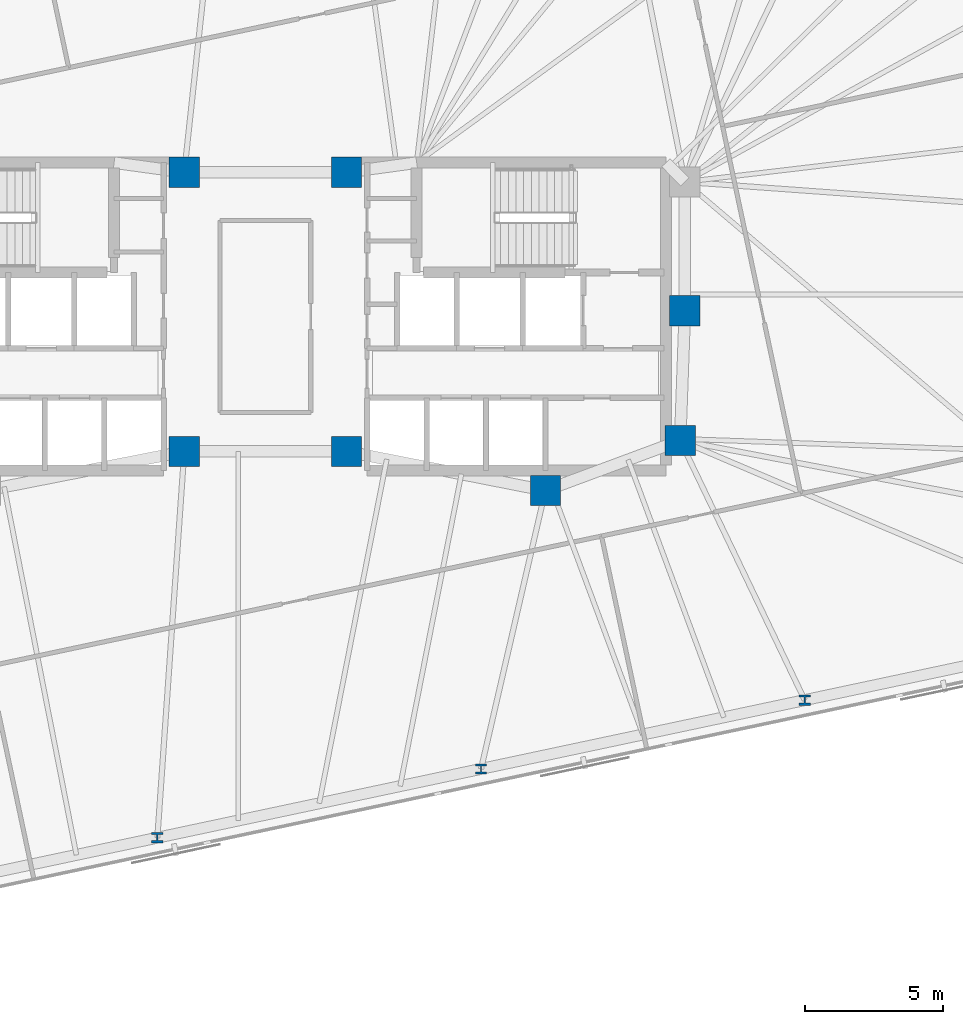
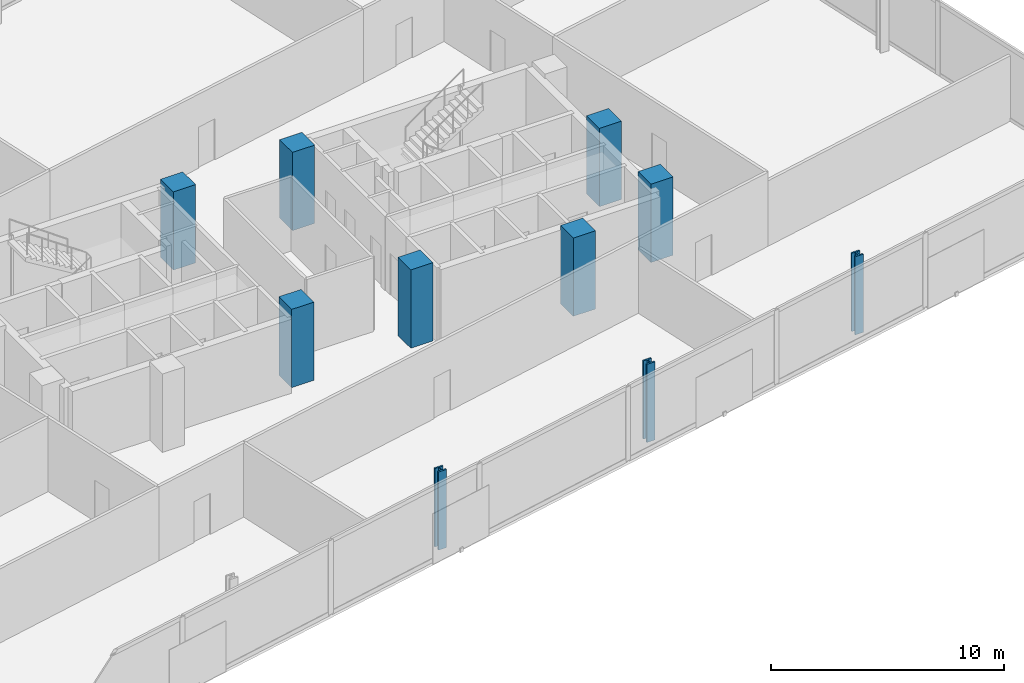
# One storey, part 3 of 15: 10 columns.
"""IFC4 building model written with IfcOpenShell, lengths in metres."""

from ifc_helpers import new_model, si_unit, direction, frame, origin, origin_2d, place, context, subcontext, project, spatial, rectangle, i_section, extrude, material, material_profile, profile_set, type_object, element, save


model = new_model("IFC4")

# Units and contexts
model_context = context("Model", 3, precision=1e-05, world=origin(), true_north=direction((0.0, 1.0)))
body_context = subcontext(model_context, "Body", "Model", "MODEL_VIEW")
ifc_project = project(units=[si_unit("LENGTHUNIT", "METRE"), si_unit("AREAUNIT", "SQUARE_METRE"), si_unit("VOLUMEUNIT", "CUBIC_METRE"), si_unit("PLANEANGLEUNIT", "RADIAN"), si_unit("MASSUNIT", "GRAM", prefix="KILO")], contexts=[model_context])

# Site, building, storey
site_placement = place(None, origin())
site = spatial("IfcSite", under=ifc_project, at=site_placement, CompositionType="ELEMENT")
building_placement = place(site_placement, origin())
building = spatial("IfcBuilding", under=site, at=building_placement, Name="Menara Jurai Vektor", CompositionType="ELEMENT")
storey_placement = place(building_placement, frame((0.0, 0.0, 147.300048828125)))
storey = spatial("IfcBuildingStorey", under=building, at=storey_placement, Name="L37", CompositionType="ELEMENT", Elevation=147.300048828125)

# Columns
ifc_material_1 = material(Name="Concrete C50/60", Category="concrete")
ifc_material_profile_1 = material_profile(ifc_material_1, rectangle(XDim=1.10009765625, YDim=1.10009765625, at=origin_2d()), Name="RC 1100x1100")
ifc_profile_set_1 = profile_set([ifc_material_profile_1], Name="Concrete C50/60")
column_type_1 = type_object("IfcColumnType", Name="STR-COL-RC1100", PredefinedType="COLUMN", material=ifc_profile_set_1)
for number, where, z_axis, x_axis, name in (
    (1, (-2.949951171875, -4.89990234375, 0.0), (0.0, 0.0, 1.0), (1.0, 0.0, 0.0), "Core Spine Column CW-SE L37"),
    (2, (-2.949951171875, 5.25, 0.0), (0.0, 0.0, 1.0), (1.0, 0.0, 0.0), "Core Spine Column CW-NE L37"),
    (3, (15.25, 0.219970703125, 0.0), (0.0, 0.0, 1.0), (1.0, 0.0, 0.0), "Core Spine Column CE-EM L37"),
    (4, (15.080078125, -4.5, 0.0), (0.0, 0.0, 1.0), (1.0, 0.0, 0.0), "Core Spine Column CE-SE L37"),
    (5, (10.179931640625, -6.320068359375, 0.0), (0.0, 0.0, 1.0), (1.0, 0.0, 0.0), "Core Spine Column CE-SM L37"),
    (6, (2.949951171875, -4.89990234375, 0.0), (0.0, 0.0, 1.0), (1.0, 0.0, 0.0), "Core Spine Column CE-SW L37"),
    (7, (2.949951171875, 5.25, 0.0), (0.0, 0.0, 1.0), (1.0, 0.0, 0.0), "Core Spine Column CE-NW L37"),
):
    element("IfcColumn", number, at=place(storey_placement, frame(where, z_axis=z_axis, x_axis=x_axis)), inside=storey, type_object=column_type_1, Name=name, PredefinedType="COLUMN", context=body_context, shape_type="SweptSolid", body=[
        extrude(rectangle(XDim=1.10009765625, YDim=1.10009765625, at=origin_2d()), origin(), (0.0, 0.0, 1.0), 4.099853515625),
    ])
ifc_material_2 = material(Name="Steel S460", Category="steel")
ifc_material_profile_2 = material_profile(ifc_material_2, i_section(OverallWidth=0.408935546875, OverallDepth=0.3740234375, WebThickness=0.048095703125, FlangeThickness=0.076904296875, FilletRadius=0.014892578125, at=origin_2d()), Name="HD 400x634")
ifc_profile_set_2 = profile_set([ifc_material_profile_2], Name="Steel S460")
column_type_2 = type_object("IfcColumnType", Name="STR-EXO-BLK3", PredefinedType="COLUMN", material=ifc_profile_set_2)
for number, where, z_axis, x_axis, name in (
    (8, (-3.928466796875, -18.94287109375, 0.0), (0.0, 0.0, 1.0), (1.0, 0.0, 0.0), "Exoskeleton Column BLK3-S3 L37"),
    (9, (7.83984375, -16.44140625, 0.0), (0.0, 0.0, 1.0), (1.0, 0.0, 0.0), "Exoskeleton Column BLK3-S4 L37"),
    (10, (19.608154296875, -13.940185546875, 0.0), (0.0, 0.0, 1.0), (1.0, 0.0, 0.0), "Exoskeleton Column BLK3-S5 L37"),
):
    element("IfcColumn", number, at=place(storey_placement, frame(where, z_axis=z_axis, x_axis=x_axis)), inside=storey, type_object=column_type_2, Name=name, PredefinedType="COLUMN", context=body_context, shape_type="SweptSolid", body=[
        extrude(i_section(OverallWidth=0.408935546875, OverallDepth=0.3740234375, WebThickness=0.048095703125, FlangeThickness=0.076904296875, FilletRadius=0.014892578125, at=origin_2d()), origin(), (0.0, 0.0, 1.0), 4.099853515625),
    ])

save(model, "model.ifc")
